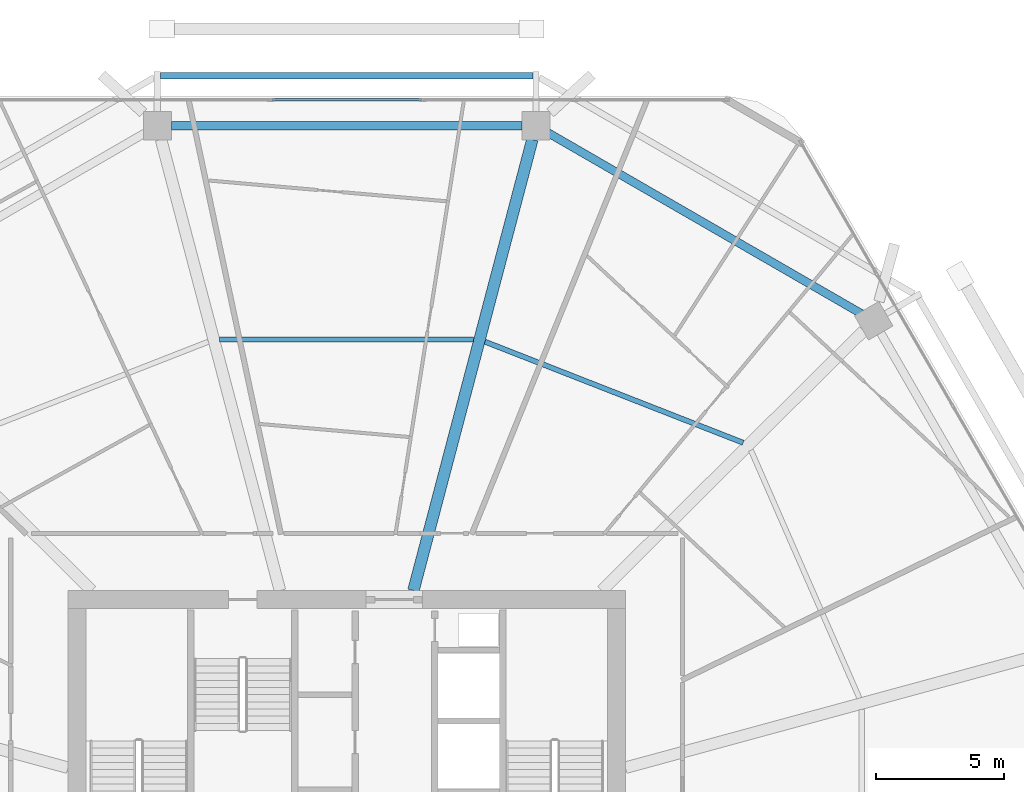
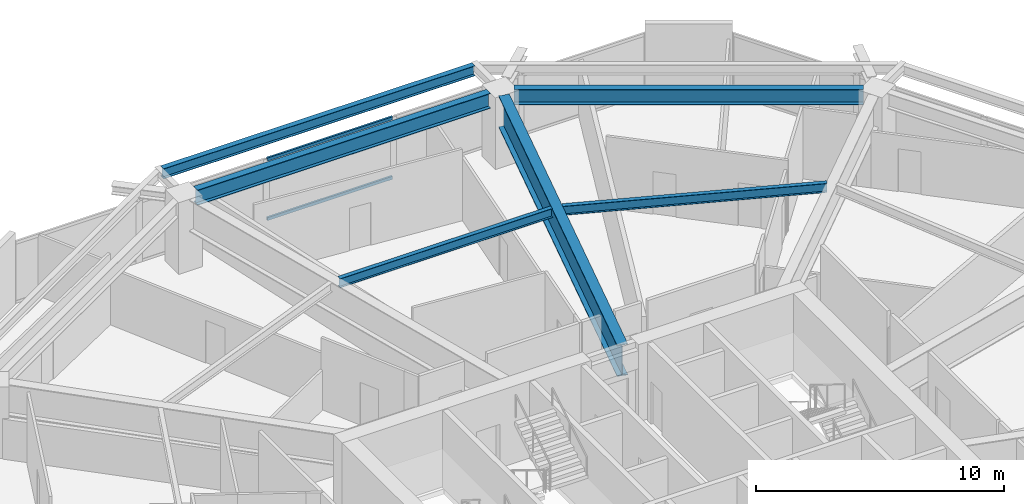
# One storey, part 21 of 33: 6 beams, 2 members, 1 element without a shape of its own.
"""IFC4 building model written with IfcOpenShell, lengths in metres."""

from ifc_helpers import new_model, si_unit, direction, frame, origin, origin_2d, place, context, subcontext, project, spatial, hollow_rectangle, i_section, extrude, material, material_profile, profile_set, type_object, element, aggregate, save


model = new_model("IFC4")

# Units and contexts
model_context = context("Model", 3, precision=1e-05, world=origin(), true_north=direction((0.0, 1.0)))
body_context = subcontext(model_context, "Body", "Model", "MODEL_VIEW")
ifc_project = project(units=[si_unit("LENGTHUNIT", "METRE"), si_unit("AREAUNIT", "SQUARE_METRE"), si_unit("VOLUMEUNIT", "CUBIC_METRE"), si_unit("PLANEANGLEUNIT", "RADIAN"), si_unit("MASSUNIT", "GRAM", prefix="KILO")], contexts=[model_context])

# Site, building, storey
site_placement = place(None, origin())
site = spatial("IfcSite", under=ifc_project, at=site_placement, CompositionType="ELEMENT")
building_placement = place(site_placement, origin())
building = spatial("IfcBuilding", under=site, at=building_placement, Name="Zuhravey Tower", CompositionType="ELEMENT")
storey_placement = place(building_placement, frame((0.0, 0.0, 141.800048828125)))
storey = spatial("IfcBuildingStorey", under=building, at=storey_placement, Name="L35", CompositionType="ELEMENT", Elevation=141.800048828125)

# Curtain wall, members
ifc_material_1 = material(Name="Thermally broken anodised aluminium", Category="aluminium")
curtain_wall_type = type_object("IfcCurtainWallType", Name="Zone 1-2 Residential Curtain Wall CW3", PredefinedType="NOTDEFINED", material=ifc_material_1)
curtain_wall_placement = place(storey_placement, origin())
curtain_wall = element("IfcCurtainWall", 1, at=curtain_wall_placement, inside=storey, type_object=curtain_wall_type, Name="L35 CW3 CW-L35-F2-1", PredefinedType="NOTDEFINED")
ifc_material_2 = material(Name="Anodised aluminium", Category="aluminium")
ifc_material_profile_1 = material_profile(ifc_material_2, hollow_rectangle(XDim=0.090087890625, YDim=0.14990234375, WallThickness=0.0048828125, at=origin_2d()), Name="ALU-RHS-90x150x5")
ifc_profile_set_1 = profile_set([ifc_material_profile_1], Name="Anodised aluminium")
member_type = type_object("IfcMemberType", Name="Curtain-Wall Transom 90x150", PredefinedType="USERDEFINED", material=ifc_profile_set_1)
member_1_placement = place(storey_placement, frame((33.085205078125, 60.95849609375, 0.044921875), z_axis=(1.0, 0.0, 0.0), x_axis=(0.0, 1.0, 0.0)))
member_1 = element("IfcMember", 2, at=member_1_placement, type_object=member_type, Name="CW3 transom 3.1", ObjectType="TRANSOM", PredefinedType="USERDEFINED", context=body_context, shape_type="SweptSolid", body=[
    extrude(hollow_rectangle(XDim=0.090087890625, YDim=0.14990234375, WallThickness=0.0048828125, at=origin_2d()), origin(), (0.0, 0.0, 1.0), 5.82958984375),
])
member_2_placement = place(storey_placement, frame((33.085205078125, 60.95849609375, 2.974853515625), z_axis=(1.0, 0.0, 0.0), x_axis=(0.0, 1.0, 0.0)))
member_2 = element("IfcMember", 3, at=member_2_placement, type_object=member_type, Name="CW3 transom 3.2", ObjectType="TRANSOM", PredefinedType="USERDEFINED", context=body_context, shape_type="SweptSolid", body=[
    extrude(hollow_rectangle(XDim=0.090087890625, YDim=0.14990234375, WallThickness=0.0048828125, at=origin_2d()), origin(), (0.0, 0.0, 1.0), 5.82958984375),
])
aggregate(curtain_wall, [member_1, member_2])

# Beams
ifc_material_3 = material(Name="Steel SM460", Category="steel")
ifc_material_profile_2 = material_profile(ifc_material_3, i_section(OverallWidth=0.449951171875, OverallDepth=1.550048828125, WebThickness=0.02587890625, FlangeThickness=0.0419921875, at=origin_2d()), Name="H-1550x450x26x42")
ifc_profile_set_2 = profile_set([ifc_material_profile_2], Name="Steel SM460")
beam_type_1 = type_object("IfcBeamType", Name="Heavy Setback Transfer Girder H1550x450", PredefinedType="BEAM", material=ifc_profile_set_2)
beam_1_placement = place(storey_placement, frame((38.59814453125, 41.85302734375, 2.744873046875), z_axis=(0.25498755891, 0.966944333869, 0.0), x_axis=(-0.966944333869, 0.25498755891, 0.0)))
element("IfcBeam", 4, at=beam_1_placement, inside=storey, type_object=beam_type_1, Name="L35 TG3 BM-L35-RAD-03", PredefinedType="BEAM", context=body_context, shape_type="SweptSolid", body=[
    extrude(i_section(OverallWidth=0.449951171875, OverallDepth=1.550048828125, WebThickness=0.02587890625, FlangeThickness=0.0419921875, at=origin_2d()), origin(), (0.0, 0.0, 1.0), 18.1611328125),
])
ifc_material_4 = material(Name="Steel SM355", Category="steel")
ifc_material_profile_3 = material_profile(ifc_material_4, i_section(OverallWidth=0.320068359375, OverallDepth=0.75, WebThickness=0.013916015625, FlangeThickness=0.02490234375, at=origin_2d()), Name="H-750x320x14x25")
ifc_profile_set_3 = profile_set([ifc_material_profile_3], Name="Steel SM355")
beam_type_2 = type_object("IfcBeamType", Name="Perimeter Ring Beam H750x320", PredefinedType="BEAM", material=ifc_profile_set_3)
beam_2_placement = place(storey_placement, frame((56.0400390625, 52.63330078125, 3.14501953125), z_axis=(-0.866017786538, 0.500013193225, 0.0), x_axis=(-0.500013193225, -0.866017786538, 0.0)))
element("IfcBeam", 5, at=beam_2_placement, inside=storey, type_object=beam_type_2, Name="L35 PB1 BM-L35-PB-02", PredefinedType="BEAM", context=body_context, shape_type="SweptSolid", body=[
    extrude(i_section(OverallWidth=0.320068359375, OverallDepth=0.75, WebThickness=0.013916015625, FlangeThickness=0.02490234375, at=origin_2d()), origin(), (0.0, 0.0, 1.0), 14.0771484375),
])
beam_3_placement = place(storey_placement, frame((42.81689453125, 59.948486328125, 3.14501953125), z_axis=(-1.0, 0.0, 0.0), x_axis=(0.0, -1.0, 0.0)))
element("IfcBeam", 6, at=beam_3_placement, inside=storey, type_object=beam_type_2, Name="L35 PB1 BM-L35-PB-03", PredefinedType="BEAM", context=body_context, shape_type="SweptSolid", body=[
    extrude(i_section(OverallWidth=0.320068359375, OverallDepth=0.75, WebThickness=0.013916015625, FlangeThickness=0.02490234375, at=origin_2d()), origin(), (0.0, 0.0, 1.0), 13.6337890625),
])
ifc_material_profile_4 = material_profile(ifc_material_4, i_section(OverallWidth=0.199951171875, OverallDepth=0.449951171875, WebThickness=0.009033203125, FlangeThickness=0.013916015625, at=origin_2d()), Name="H-450x200x9x14")
ifc_profile_set_4 = profile_set([ifc_material_profile_4], Name="Steel SM355")
beam_type_3 = type_object("IfcBeamType", Name="Secondary Floor Joist H450x200", PredefinedType="JOIST", material=ifc_profile_set_4)
beam_4_placement = place(storey_placement, frame((51.435546875, 47.608642578125, 3.294921875), z_axis=(-0.93121773873, 0.364463335708, 0.0), x_axis=(-0.364463335708, -0.93121773873, 0.0)))
element("IfcBeam", 7, at=beam_4_placement, inside=storey, type_object=beam_type_3, Name="L35 SJ1 BM-L35-SJ-02-1", PredefinedType="JOIST", context=body_context, shape_type="SweptSolid", body=[
    extrude(i_section(OverallWidth=0.199951171875, OverallDepth=0.449951171875, WebThickness=0.009033203125, FlangeThickness=0.013916015625, at=origin_2d()), origin(), (0.0, 0.0, 1.0), 10.78955078125),
])
beam_5_placement = place(storey_placement, frame((40.946044921875, 51.62451171875, 3.294921875), z_axis=(-1.0, 0.0, 0.0), x_axis=(0.0, -1.0, 0.0)))
element("IfcBeam", 8, at=beam_5_placement, inside=storey, type_object=beam_type_3, Name="L35 SJ1 BM-L35-SJ-03-1", PredefinedType="JOIST", context=body_context, shape_type="SweptSolid", body=[
    extrude(i_section(OverallWidth=0.199951171875, OverallDepth=0.449951171875, WebThickness=0.009033203125, FlangeThickness=0.013916015625, at=origin_2d()), origin(), (0.0, 0.0, 1.0), 9.89208984375),
])
ifc_material_profile_5 = material_profile(ifc_material_4, i_section(OverallWidth=0.25, OverallDepth=0.5, WebThickness=0.010009765625, FlangeThickness=0.01611328125, at=origin_2d()), Name="H-500x250x10x16")
ifc_profile_set_5 = profile_set([ifc_material_profile_5], Name="Steel SM355")
beam_type_4 = type_object("IfcBeamType", Name="Tray Cantilever Spandrel H500x250", PredefinedType="SPANDREL", material=ifc_profile_set_5)
beam_6_placement = place(storey_placement, frame((43.2470703125, 61.8984375, 3.27001953125), z_axis=(-1.0, 0.0, 0.0), x_axis=(0.0, -1.0, 0.0)))
element("IfcBeam", 9, at=beam_6_placement, inside=storey, type_object=beam_type_4, Name="L35 Sky-Tray Edge Spandrel TSB1-03", PredefinedType="SPANDREL", context=body_context, shape_type="SweptSolid", body=[
    extrude(i_section(OverallWidth=0.25, OverallDepth=0.5, WebThickness=0.010009765625, FlangeThickness=0.01611328125, at=origin_2d()), origin(), (0.0, 0.0, 1.0), 14.494140625),
])

save(model, "model.ifc")
